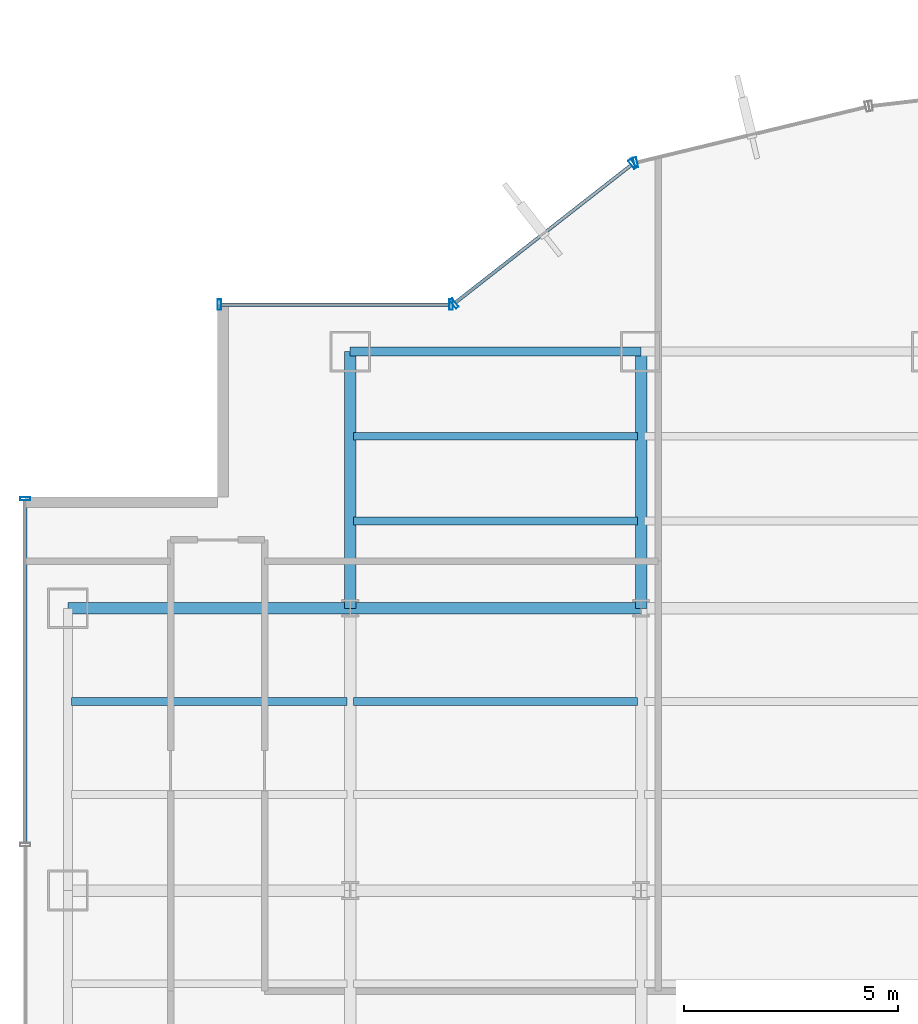
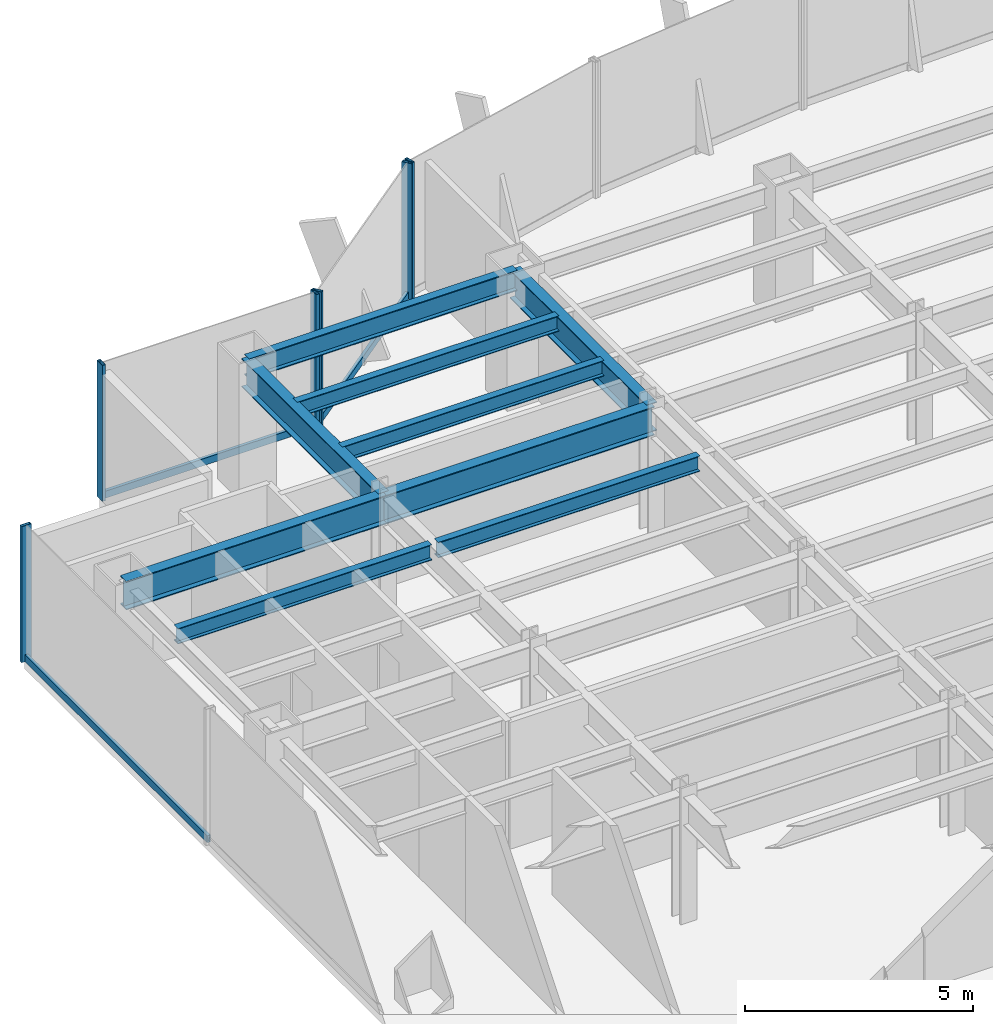
# One storey, part 10 of 22: 9 beams, 9 members, 4 elements without a shape of their own.
"""IFC4 building model written with IfcOpenShell, lengths in metres."""

from ifc_helpers import new_model, si_unit, derived_unit, direction, frame, origin, origin_2d, place, context, subcontext, project, spatial, hollow_rectangle, i_section, extrude, source, transform, mapped, material, material_profile, profile_set, type_object, element, aggregate, save


model = new_model("IFC4")

# Units and contexts
model_context = context("Model", 3, precision=1e-05, world=origin(), true_north=direction((0.0, 1.0)))
body_context = subcontext(model_context, "Body", "Model", "MODEL_VIEW")
ifc_project = project(units=[si_unit("LENGTHUNIT", "METRE"), si_unit("AREAUNIT", "SQUARE_METRE"), si_unit("VOLUMEUNIT", "CUBIC_METRE"), si_unit("PLANEANGLEUNIT", "RADIAN"), si_unit("MASSUNIT", "GRAM", prefix="KILO"), derived_unit("THERMALTRANSMITTANCEUNIT", [(si_unit("POWERUNIT", "WATT"), 1), (si_unit("LENGTHUNIT", "METRE"), -2), (si_unit("THERMODYNAMICTEMPERATUREUNIT", "KELVIN"), -1)])], contexts=[model_context])

# Site, building, storey
site_placement = place(None, origin())
site = spatial("IfcSite", under=ifc_project, at=site_placement, CompositionType="ELEMENT")
building_placement = place(site_placement, origin())
building = spatial("IfcBuilding", under=site, at=building_placement, Name="Skarnbrae Concourse Arena and Tower", CompositionType="ELEMENT")
storey_placement = place(building_placement, frame((0.0, 0.0, 69.0)))
storey = spatial("IfcBuildingStorey", under=building, at=storey_placement, Name="L16", CompositionType="ELEMENT", Elevation=69.0)

# Beams
ifc_material_1 = material(Name="Steel CSA G40.21 350W", Category="steel")
ifc_material_profile_1 = material_profile(ifc_material_1, i_section(OverallWidth=0.26806640625, OverallDepth=0.77001953125, WebThickness=0.015625, FlangeThickness=0.025390625, at=origin_2d()), Name="W760X196")
ifc_profile_set_1 = profile_set([ifc_material_profile_1], Name="Steel CSA G40.21 350W")
beam_type_1 = type_object("IfcBeamType", Name="BM-GIRD-W760X196", PredefinedType="BEAM", material=ifc_profile_set_1)
shared_shape_1 = source(origin(), body_context, "Body", "SweptSolid", [
    extrude(i_section(OverallWidth=0.26806640625, OverallDepth=0.77001953125, WebThickness=0.015625, FlangeThickness=0.025390625, at=origin_2d()), origin(), (0.0, 0.0, 1.0), 6.60009765625),
])
beam_1_placement = place(storey_placement, frame((1.0, 34.39990234375, 3.014892578125), z_axis=(1.0, 0.0, 0.0), x_axis=(0.0, 1.0, 0.0)))
element("IfcBeam", 1, at=beam_1_placement, inside=storey, type_object=beam_type_1, Name="L16 Primary E-W girder Y34.4-1", PredefinedType="BEAM", context=body_context, shape_type="MappedRepresentation", body=[
    mapped(shared_shape_1, transform((0.0, 0.0, 0.0))),
])
shared_shape_2 = source(origin(), body_context, "Body", "SweptSolid", [
    extrude(i_section(OverallWidth=0.26806640625, OverallDepth=0.77001953125, WebThickness=0.015625, FlangeThickness=0.025390625, at=origin_2d()), origin(), (0.0, 0.0, 1.0), 6.7998046875),
])
beam_2_placement = place(storey_placement, frame((7.60009765625, 34.39990234375, 3.014892578125), z_axis=(1.0, 0.0, 0.0), x_axis=(0.0, 1.0, 0.0)))
element("IfcBeam", 2, at=beam_2_placement, inside=storey, type_object=beam_type_1, Name="L16 Primary E-W girder Y34.4-2", PredefinedType="BEAM", context=body_context, shape_type="MappedRepresentation", body=[
    mapped(shared_shape_2, transform((0.0, 0.0, 0.0))),
])
shared_shape_3 = source(origin(), body_context, "Body", "SweptSolid", [
    extrude(i_section(OverallWidth=0.26806640625, OverallDepth=0.77001953125, WebThickness=0.015625, FlangeThickness=0.025390625, at=origin_2d()), origin(), (0.0, 0.0, 1.0), 6.0),
])
for number, where, z_axis, x_axis, name in (
    (3, (7.60009765625, 34.39990234375, 3.014892578125), (0.0, 1.0, 0.0), (-1.0, 0.0, 0.0), "L16 Primary N-S girder X7.6-4"),
    (4, (14.39990234375, 34.39990234375, 3.014892578125), (0.0, 1.0, 0.0), (-1.0, 0.0, 0.0), "L16 Primary N-S girder X14.4-4"),
):
    element("IfcBeam", number, at=place(storey_placement, frame(where, z_axis=z_axis, x_axis=x_axis)), inside=storey, type_object=beam_type_1, Name=name, PredefinedType="BEAM", context=body_context, shape_type="MappedRepresentation", body=[
        mapped(shared_shape_3, transform((0.0, 0.0, 0.0))),
    ])
ifc_material_profile_2 = material_profile(ifc_material_1, i_section(OverallWidth=0.214111328125, OverallDepth=0.549072265625, WebThickness=0.0146484375, FlangeThickness=0.023681640625, at=origin_2d()), Name="W530X138")
ifc_profile_set_2 = profile_set([ifc_material_profile_2], Name="Steel CSA G40.21 350W")
beam_type_2 = type_object("IfcBeamType", Name="BM-SPAN-W530X138", PredefinedType="SPANDREL", material=ifc_profile_set_2)
shared_shape_4 = source(origin(), body_context, "Body", "SweptSolid", [
    extrude(i_section(OverallWidth=0.214111328125, OverallDepth=0.549072265625, WebThickness=0.0146484375, FlangeThickness=0.023681640625, at=origin_2d()), origin(), (0.0, 0.0, 1.0), 6.7998046875),
])
beam_3_placement = place(storey_placement, frame((7.60009765625, 40.39990234375, 3.12548828125), z_axis=(1.0, 0.0, 0.0), x_axis=(0.0, 1.0, 0.0)))
element("IfcBeam", 5, at=beam_3_placement, inside=storey, type_object=beam_type_2, Name="L16 Perimeter spandrel Y40.4-1", PredefinedType="SPANDREL", context=body_context, shape_type="MappedRepresentation", body=[
    mapped(shared_shape_4, transform((0.0, 0.0, 0.0))),
])
ifc_material_profile_3 = material_profile(ifc_material_1, i_section(OverallWidth=0.180908203125, OverallDepth=0.4169921875, WebThickness=0.010986328125, FlangeThickness=0.018310546875, at=origin_2d()), Name="W410X85")
ifc_profile_set_3 = profile_set([ifc_material_profile_3], Name="Steel CSA G40.21 350W")
beam_type_3 = type_object("IfcBeamType", Name="BM-JOIST-W410X85", PredefinedType="JOIST", material=ifc_profile_set_3)
shared_shape_5 = source(origin(), body_context, "Body", "SweptSolid", [
    extrude(i_section(OverallWidth=0.180908203125, OverallDepth=0.4169921875, WebThickness=0.010986328125, FlangeThickness=0.018310546875, at=origin_2d()), origin(), (0.0, 0.0, 1.0), 6.43994140625),
])
beam_4_placement = place(storey_placement, frame((1.080078125, 32.221923828125, 3.19140625), z_axis=(1.0, 0.0, 0.0), x_axis=(0.0, 1.0, 0.0)))
element("IfcBeam", 6, at=beam_4_placement, inside=storey, type_object=beam_type_3, Name="L16 Secondary floor joist 3.2.1", PredefinedType="JOIST", context=body_context, shape_type="MappedRepresentation", body=[
    mapped(shared_shape_5, transform((0.0, 0.0, 0.0))),
])
shared_shape_6 = source(origin(), body_context, "Body", "SweptSolid", [
    extrude(i_section(OverallWidth=0.180908203125, OverallDepth=0.4169921875, WebThickness=0.010986328125, FlangeThickness=0.018310546875, at=origin_2d()), origin(), (0.0, 0.0, 1.0), 6.64013671875),
])
for number, where, z_axis, x_axis, name in (
    (7, (7.679931640625, 32.221923828125, 3.19140625), (1.0, 0.0, 0.0), (0.0, 1.0, 0.0), "L16 Secondary floor joist 3.2.2"),
    (8, (7.679931640625, 36.43994140625, 3.19140625), (1.0, 0.0, 0.0), (0.0, 1.0, 0.0), "L16 Secondary floor joist 4.1.1"),
    (9, (7.679931640625, 38.419921875, 3.19140625), (1.0, 0.0, 0.0), (0.0, 1.0, 0.0), "L16 Secondary floor joist 4.2.1"),
):
    element("IfcBeam", number, at=place(storey_placement, frame(where, z_axis=z_axis, x_axis=x_axis)), inside=storey, type_object=beam_type_3, Name=name, PredefinedType="JOIST", context=body_context, shape_type="MappedRepresentation", body=[
        mapped(shared_shape_6, transform((0.0, 0.0, 0.0))),
    ])

# Curtain wall, member
ifc_material_2 = material(Name="Bronze anodised aluminium 6063-T6", Category="aluminium")
curtain_wall_type = type_object("IfcCurtainWallType", Name="CW-SYS-02-LOWZONE", PredefinedType="USERDEFINED", material=ifc_material_2)
curtain_wall_1_placement = place(storey_placement, origin())
curtain_wall_1 = element("IfcCurtainWall", 10, at=curtain_wall_1_placement, inside=storey, type_object=curtain_wall_type, Name="L16 Unitised curtain wall CW-L16-E14", ObjectType="UNITISED CURTAIN WALL", PredefinedType="USERDEFINED")
ifc_material_profile_4 = material_profile(ifc_material_2, hollow_rectangle(XDim=0.080078125, YDim=0.239990234375, WallThickness=0.0048828125, at=origin_2d()), Name="ALU-MULL-80X240")
ifc_profile_set_4 = profile_set([ifc_material_profile_4], Name="Bronze anodised aluminium 6063-T6")
member_type_1 = type_object("IfcMemberType", Name="CWM-CW-02", PredefinedType="MULLION", material=ifc_profile_set_4)
shared_shape_7 = source(origin(), body_context, "Body", "SweptSolid", [
    extrude(hollow_rectangle(XDim=0.080078125, YDim=0.239990234375, WallThickness=0.0048828125, at=origin_2d()), origin(), (0.0, 0.0, 1.0), 3.64990234375),
])
member_1_placement = place(storey_placement, frame((14.272705078125, 44.821044921875, 0.0), z_axis=(0.0, 0.0, 1.0), x_axis=(-0.971973721569, -0.235089524607, 0.0)))
member_1 = element("IfcMember", 11, at=member_1_placement, type_object=member_type_1, Name="CW-L16-E14 Mullion 2", PredefinedType="MULLION", context=body_context, shape_type="MappedRepresentation", body=[
    mapped(shared_shape_7, transform((0.0, 0.0, 0.0))),
])
aggregate(curtain_wall_1, [member_1])

# Curtain wall, members
curtain_wall_2_placement = place(storey_placement, origin())
curtain_wall_2 = element("IfcCurtainWall", 12, at=curtain_wall_2_placement, inside=storey, type_object=curtain_wall_type, Name="L16 Unitised curtain wall CW-L16-E15", ObjectType="UNITISED CURTAIN WALL", PredefinedType="USERDEFINED")
member_2_placement = place(storey_placement, frame((14.2021484375, 44.787109375, 0.0), z_axis=(0.0, 0.0, 1.0), x_axis=(-0.787651726054, -0.616120733658, 0.0)))
member_2 = element("IfcMember", 13, at=member_2_placement, type_object=member_type_1, Name="CW-L16-E15 Mullion 1", PredefinedType="MULLION", context=body_context, shape_type="MappedRepresentation", body=[
    mapped(shared_shape_7, transform((0.0, 0.0, 0.0))),
])
member_3_placement = place(storey_placement, frame((10.031494140625, 41.524658203125, 0.0), z_axis=(0.0, 0.0, 1.0), x_axis=(-0.787651726054, -0.616120733658, 0.0)))
member_3 = element("IfcMember", 14, at=member_3_placement, type_object=member_type_1, Name="CW-L16-E15 Mullion 2", PredefinedType="MULLION", context=body_context, shape_type="MappedRepresentation", body=[
    mapped(shared_shape_7, transform((0.0, 0.0, 0.0))),
])

curtain_wall_3_placement = place(storey_placement, origin())
curtain_wall_3 = element("IfcCurtainWall", 15, at=curtain_wall_3_placement, inside=storey, type_object=curtain_wall_type, Name="L16 Unitised curtain wall CW-L16-E16", ObjectType="UNITISED CURTAIN WALL", PredefinedType="USERDEFINED")
member_4_placement = place(storey_placement, frame((9.9599609375, 41.5, 0.0), z_axis=(0.0, 0.0, 1.0), x_axis=(-1.0, 0.0, 0.0)))
member_4 = element("IfcMember", 16, at=member_4_placement, type_object=member_type_1, Name="CW-L16-E16 Mullion 1", PredefinedType="MULLION", context=body_context, shape_type="MappedRepresentation", body=[
    mapped(shared_shape_7, transform((0.0, 0.0, 0.0))),
])
member_5_placement = place(storey_placement, frame((4.5400390625, 41.5, 0.0), z_axis=(0.0, 0.0, 1.0), x_axis=(-1.0, 0.0, 0.0)))
member_5 = element("IfcMember", 17, at=member_5_placement, type_object=member_type_1, Name="CW-L16-E16 Mullion 2", PredefinedType="MULLION", context=body_context, shape_type="MappedRepresentation", body=[
    mapped(shared_shape_7, transform((0.0, 0.0, 0.0))),
])

# Curtain wall, member
curtain_wall_4_placement = place(storey_placement, origin())
curtain_wall_4 = element("IfcCurtainWall", 18, at=curtain_wall_4_placement, inside=storey, type_object=curtain_wall_type, Name="L16 Unitised curtain wall CW-L16-E19", ObjectType="UNITISED CURTAIN WALL", PredefinedType="USERDEFINED")
member_6_placement = place(storey_placement, frame((0.0, 36.9599609375, 0.0), z_axis=(0.0, 0.0, 1.0), x_axis=(0.0, -1.0, 0.0)))
member_6 = element("IfcMember", 19, at=member_6_placement, type_object=member_type_1, Name="CW-L16-E19 Mullion 1", PredefinedType="MULLION", context=body_context, shape_type="MappedRepresentation", body=[
    mapped(shared_shape_7, transform((0.0, 0.0, 0.0))),
])

# Member
ifc_material_profile_5 = material_profile(ifc_material_2, hollow_rectangle(XDim=0.080078125, YDim=0.18994140625, WallThickness=0.0048828125, at=origin_2d()), Name="ALU-TRAN-80X190")
ifc_profile_set_5 = profile_set([ifc_material_profile_5], Name="Bronze anodised aluminium 6063-T6")
member_type_2 = type_object("IfcMemberType", Name="CWT-CW-02", PredefinedType="USERDEFINED", material=ifc_profile_set_5)
shared_shape_8 = source(origin(), body_context, "Body", "SweptSolid", [
    extrude(hollow_rectangle(XDim=0.080078125, YDim=0.18994140625, WallThickness=0.0048828125, at=origin_2d()), origin(), (0.0, 0.0, 1.0), 5.33984375),
])
member_7_placement = place(storey_placement, frame((9.919921875, 41.5, 0.094970703125), z_axis=(-1.0, 0.0, 0.0), x_axis=(0.0, -1.0, 0.0)))
member_7 = element("IfcMember", 20, at=member_7_placement, type_object=member_type_2, Name="CW-L16-E16 Transom 1", ObjectType="TRANSOM", PredefinedType="USERDEFINED", context=body_context, shape_type="MappedRepresentation", body=[
    mapped(shared_shape_8, transform((0.0, 0.0, 0.0))),
])

aggregate(curtain_wall_3, [member_4, member_5, member_7])

shared_shape_9 = source(origin(), body_context, "Body", "SweptSolid", [
    extrude(hollow_rectangle(XDim=0.080078125, YDim=0.18994140625, WallThickness=0.0048828125, at=origin_2d()), origin(), (0.0, 0.0, 1.0), 5.215087890625),
])
member_8_placement = place(storey_placement, frame((14.170654296875, 44.762451171875, 0.094970703125), z_axis=(-0.787650196702, -0.616122688784, 0.0), x_axis=(0.616122688784, -0.787650196702, 0.0)))
member_8 = element("IfcMember", 21, at=member_8_placement, type_object=member_type_2, Name="CW-L16-E15 Transom 1", ObjectType="TRANSOM", PredefinedType="USERDEFINED", context=body_context, shape_type="MappedRepresentation", body=[
    mapped(shared_shape_9, transform((0.0, 0.0, 0.0))),
])

aggregate(curtain_wall_2, [member_2, member_3, member_8])

shared_shape_10 = source(origin(), body_context, "Body", "SweptSolid", [
    extrude(hollow_rectangle(XDim=0.080078125, YDim=0.18994140625, WallThickness=0.0048828125, at=origin_2d()), origin(), (0.0, 0.0, 1.0), 8.0048828125),
])
member_9_placement = place(storey_placement, frame((0.0, 36.919921875, 0.094970703125), z_axis=(0.0, -1.0, 0.0), x_axis=(1.0, 0.0, 0.0)))
member_9 = element("IfcMember", 22, at=member_9_placement, type_object=member_type_2, Name="CW-L16-E19 Transom 1", ObjectType="TRANSOM", PredefinedType="USERDEFINED", context=body_context, shape_type="MappedRepresentation", body=[
    mapped(shared_shape_10, transform((0.0, 0.0, 0.0))),
])

aggregate(curtain_wall_4, [member_6, member_9])

save(model, "model.ifc")
